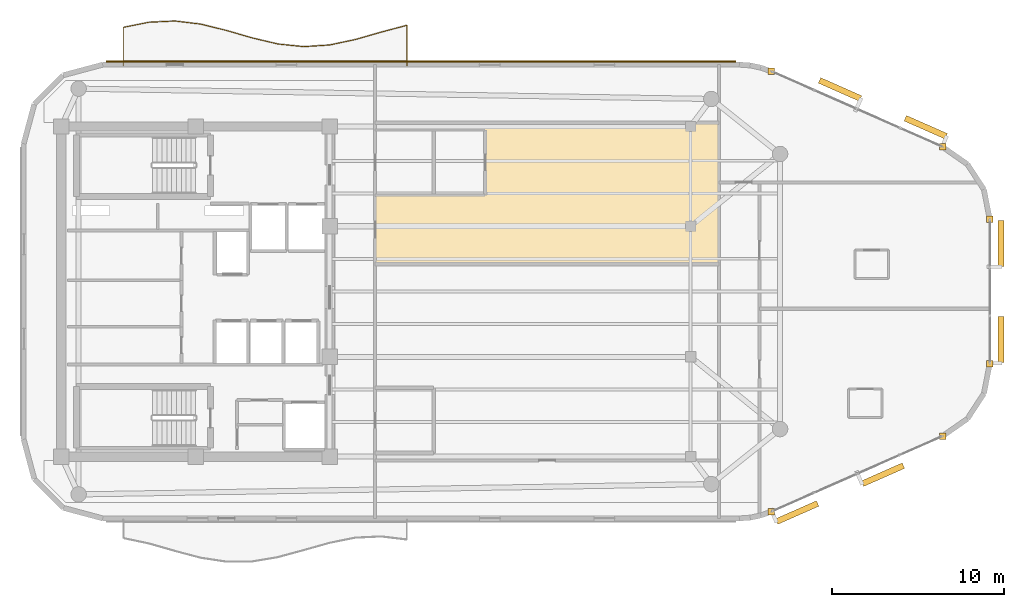
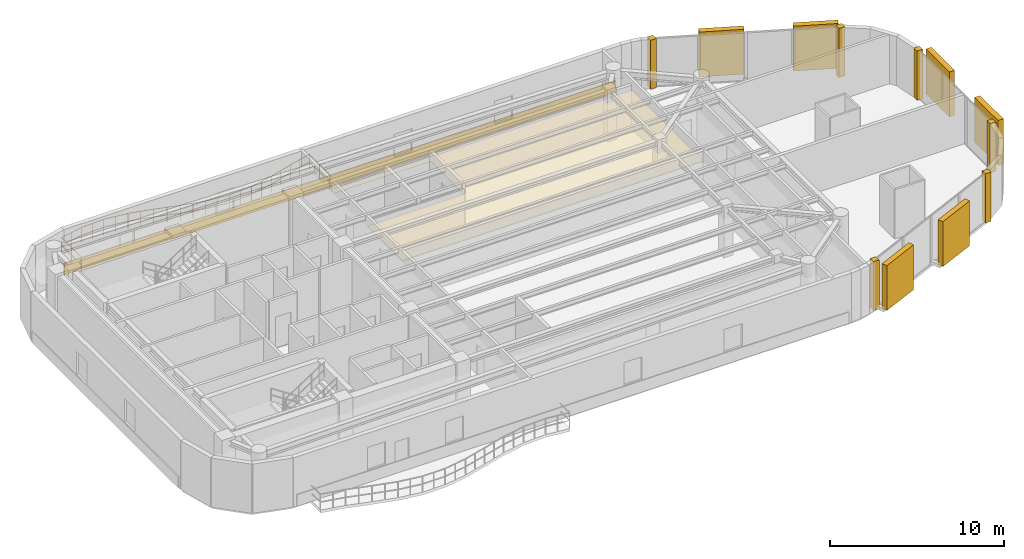
# One storey, part 12 of 12: 8 coverings, 6 shading devices, 1 railing.
"""IFC4 building model written with IfcOpenShell, lengths in metres."""

from ifc_helpers import new_model, si_unit, direction, frame, origin, origin_2d, place, context, subcontext, project, spatial, polyline, rectangle, circle, outline, extrude, material, layer, layer_set, type_object, element, save


model = new_model("IFC4")

# Units and contexts
model_context = context("Model", 3, precision=1e-05, world=origin(), true_north=direction((0.0, 1.0)))
body_context = subcontext(model_context, "Body", "Model", "MODEL_VIEW")
ifc_project = project(units=[si_unit("LENGTHUNIT", "METRE"), si_unit("AREAUNIT", "SQUARE_METRE"), si_unit("VOLUMEUNIT", "CUBIC_METRE"), si_unit("PLANEANGLEUNIT", "RADIAN"), si_unit("MASSUNIT", "GRAM", prefix="KILO")], contexts=[model_context])

# Site, building, storey
site_placement = place(None, origin())
site = spatial("IfcSite", under=ifc_project, at=site_placement, CompositionType="ELEMENT")
building_placement = place(site_placement, origin())
building = spatial("IfcBuilding", under=site, at=building_placement, Name="An Khanh Terracotta Commons", CompositionType="ELEMENT")
storey_placement = place(building_placement, frame((0.0, 0.0, 262.449951171875)))
storey = spatial("IfcBuildingStorey", under=building, at=storey_placement, Name="L68", CompositionType="ELEMENT", Elevation=262.449951171875)

# Coverings
ifc_material_1 = material(Name="Perforated Mineral-Fibre Acoustic Tile")
ifc_layer_1 = layer(ifc_material_1, 0.02001953125, Name="Perforated Mineral-Fibre Acoustic Tile")
ifc_layer_set_1 = layer_set([ifc_layer_1], Name="Perforated Mineral-Fibre Acoustic Tile")
covering_type_1 = type_object("IfcCoveringType", Name="CEIL-ACOUSTIC-18", PredefinedType="CEILING", material=ifc_layer_set_1)
covering_1_placement = place(storey_placement, frame((0.0, 0.0, 2.650146484375)))
element("IfcCovering", 1, at=covering_1_placement, inside=storey, type_object=covering_type_1, Name="L68 Academic Seminar Room Ceiling", PredefinedType="CEILING", context=body_context, shape_type="SweptSolid", body=[
    extrude(outline(polyline([(59.85009765625, 25.60009765625), (39.85009765625, 25.60009765625), (39.85009765625, 29.60009765625), (43.25, 29.60009765625), (46.25, 29.60009765625), (46.25, 33.39990234375), (43.25, 33.39990234375), (39.85009765625, 33.39990234375), (39.85009765625, 33.820068359375), (59.85009765625, 33.820068359375), (59.85009765625, 30.35009765625), (59.85009765625, 25.60009765625)])), origin(), (0.0, 0.0, 1.0), 0.02001953125),
])
ifc_material_2 = material(Name="Fired Terracotta Rainscreen Cladding", Category="masonry")
ifc_layer_2 = layer(ifc_material_2, 0.080078125, Name="Fired Terracotta Rainscreen Cladding")
ifc_layer_set_2 = layer_set([ifc_layer_2], Name="Fired Terracotta Rainscreen Cladding")
covering_type_2 = type_object("IfcCoveringType", Name="COV-JAMB-TERRA", PredefinedType="CLADDING", material=ifc_layer_set_2)
for number, where, z_axis, x_axis, name in (
    (2, (62.886962890625, 11.19091796875, 0.0), (0.0, 0.0, 1.0), (1.0, 0.0, 0.0), "L68 CW-03 Curtain-Wall Jamb Closure JA"),
    (3, (72.85693359375, 15.590087890625, 0.0), (0.0, 0.0, 1.0), (1.0, 0.0, 0.0), "L68 CW-03 Curtain-Wall Jamb Closure JB"),
    (4, (75.60009765625, 19.798095703125, 0.0), (0.0, 0.0, 1.0), (1.0, 0.0, 0.0), "L68 CW-03 Curtain-Wall Jamb Closure JA"),
    (5, (75.60009765625, 28.201904296875, 0.0), (0.0, 0.0, 1.0), (1.0, 0.0, 0.0), "L68 CW-03 Curtain-Wall Jamb Closure JB"),
    (6, (72.85693359375, 32.409912109375, 0.0), (0.0, 0.0, 1.0), (1.0, 0.0, 0.0), "L68 CW-03 Curtain-Wall Jamb Closure JA"),
    (7, (62.886962890625, 36.80908203125, 0.0), (0.0, 0.0, 1.0), (1.0, 0.0, 0.0), "L68 CW-03 Curtain-Wall Jamb Closure JB"),
):
    element("IfcCovering", number, at=place(storey_placement, frame(where, z_axis=z_axis, x_axis=x_axis)), inside=storey, type_object=covering_type_2, Name=name, PredefinedType="CLADDING", context=body_context, shape_type="SweptSolid", body=[
        extrude(rectangle(XDim=0.3798828125, YDim=0.3798828125, at=origin_2d()), origin(), (0.0, 0.0, 1.0), 3.449951171875),
    ])
ifc_layer_3 = layer(ifc_material_2, 0.06005859375, Name="Fired Terracotta Rainscreen Cladding")
ifc_layer_set_3 = layer_set([ifc_layer_3], Name="Fired Terracotta Rainscreen Cladding")
covering_type_3 = type_object("IfcCoveringType", Name="COV-SPANDREL-TERRA", PredefinedType="CLADDING", material=ifc_layer_set_3)
covering_2_placement = place(storey_placement, frame((42.514892578125, 37.3798828125, 0.02001953125), z_axis=(0.0, 0.0, 1.0), x_axis=(-1.0, 0.0, 0.0)))
element("IfcCovering", 8, at=covering_2_placement, inside=storey, type_object=covering_type_3, Name="L68 Terracotta Spandrel Cladding 20", PredefinedType="CLADDING", context=body_context, shape_type="SweptSolid", body=[
    extrude(rectangle(XDim=36.6298828125, YDim=0.06005859375, at=origin_2d()), origin(), (0.0, 0.0, 1.0), 0.800048828125),
])

# Railing
ifc_material_3 = material(Name="Brushed Stainless Steel 316", Category="steel")
railing_type = type_object("IfcRailingType", Name="RAIL-BALUSTRADE-1100", PredefinedType="BALUSTRADE", material=ifc_material_3)
railing_placement = place(storey_placement, frame((41.699951171875, 37.139892578125, 0.0)))
element("IfcRailing", 9, at=railing_placement, inside=storey, type_object=railing_type, Name="L68 N Wave Balcony Guard Balustrade", PredefinedType="BALUSTRADE", context=body_context, shape_type="SweptSolid", body=[
    extrude(circle(Radius=0.02392578125, at=origin_2d()), frame((0.0, 0.0, 1.076171875), z_axis=(0.0, 1.0, 0.0), x_axis=(-1.0, 0.0, 0.0)), (0.0, 0.0, 1.0), 2.34521484375),
    extrude(circle(Radius=0.02392578125, at=origin_2d()), frame((0.0, 0.0, 0.52587890625), z_axis=(0.0, 1.0, 0.0), x_axis=(-1.0, 0.0, 0.0)), (0.0, 0.0, 1.0), 2.34521484375),
    extrude(circle(Radius=0.02392578125, at=origin_2d()), frame((0.0, 2.34521484375, 1.076171875), z_axis=(-0.966680039045, -0.255987699142, 0.0), x_axis=(0.255987699142, -0.966680039045, 0.0)), (0.0, 0.0, 1.0), 1.5517578125),
    extrude(circle(Radius=0.02392578125, at=origin_2d()), frame((0.0, 2.34521484375, 0.52587890625), z_axis=(-0.966680039045, -0.255987699142, 0.0), x_axis=(0.255987699142, -0.966680039045, 0.0)), (0.0, 0.0, 1.0), 1.5517578125),
    extrude(circle(Radius=0.02392578125, at=origin_2d()), frame((-1.5, 1.947998046875, 1.076171875), z_axis=(-0.961293347262, -0.275526950607, 0.0), x_axis=(0.275526950607, -0.961293347262, 0.0)), (0.0, 0.0, 1.0), 1.560302734375),
    extrude(circle(Radius=0.02392578125, at=origin_2d()), frame((-1.5, 1.947998046875, 0.52587890625), z_axis=(-0.961293347262, -0.275526950607, 0.0), x_axis=(0.275526950607, -0.961293347262, 0.0)), (0.0, 0.0, 1.0), 1.560302734375),
    extrude(circle(Radius=0.02392578125, at=origin_2d()), frame((-3.0, 1.51806640625, 1.076171875), z_axis=(-0.978275241205, -0.207310280607, 0.0), x_axis=(0.207310280607, -0.978275241205, 0.0)), (0.0, 0.0, 1.0), 1.533203125),
    extrude(circle(Radius=0.02392578125, at=origin_2d()), frame((-3.0, 1.51806640625, 0.52587890625), z_axis=(-0.978275241205, -0.207310280607, 0.0), x_axis=(0.207310280607, -0.978275241205, 0.0)), (0.0, 0.0, 1.0), 1.533203125),
    extrude(circle(Radius=0.02392578125, at=origin_2d()), frame((-4.5, 1.2001953125, 1.076171875), z_axis=(-0.997866326321, -0.065290081898, 0.0), x_axis=(0.065290081898, -0.997866326321, 0.0)), (0.0, 0.0, 1.0), 1.503173828125),
    extrude(circle(Radius=0.02392578125, at=origin_2d()), frame((-4.5, 1.2001953125, 0.52587890625), z_axis=(-0.997866326321, -0.065290081898, 0.0), x_axis=(0.065290081898, -0.997866326321, 0.0)), (0.0, 0.0, 1.0), 1.503173828125),
    extrude(circle(Radius=0.02392578125, at=origin_2d()), frame((-6.0, 1.10205078125, 1.076171875), z_axis=(-0.994833141332, 0.101523499286, 0.0), x_axis=(-0.101523499286, -0.994833141332, 0.0)), (0.0, 0.0, 1.0), 1.5078125),
    extrude(circle(Radius=0.02392578125, at=origin_2d()), frame((-6.0, 1.10205078125, 0.52587890625), z_axis=(-0.994833141332, 0.101523499286, 0.0), x_axis=(-0.101523499286, -0.994833141332, 0.0)), (0.0, 0.0, 1.0), 1.5078125),
    extrude(circle(Radius=0.02392578125, at=origin_2d()), frame((-7.5, 1.255126953125, 1.076171875), z_axis=(-0.973263214687, 0.229692653206, 0.0), x_axis=(-0.229692653206, -0.973263214687, 0.0)), (0.0, 0.0, 1.0), 1.541259765625),
    extrude(circle(Radius=0.02392578125, at=origin_2d()), frame((-7.5, 1.255126953125, 0.52587890625), z_axis=(-0.973263214687, 0.229692653206, 0.0), x_axis=(-0.229692653206, -0.973263214687, 0.0)), (0.0, 0.0, 1.0), 1.541259765625),
    extrude(circle(Radius=0.02392578125, at=origin_2d()), frame((-9.0, 1.609130859375, 1.076171875), z_axis=(-0.960419102414, 0.278559056071, 0.0), x_axis=(-0.278559056071, -0.960419102414, 0.0)), (0.0, 0.0, 1.0), 1.561767578125),
    extrude(circle(Radius=0.02392578125, at=origin_2d()), frame((-9.0, 1.609130859375, 0.52587890625), z_axis=(-0.960419102414, 0.278559056071, 0.0), x_axis=(-0.278559056071, -0.960419102414, 0.0)), (0.0, 0.0, 1.0), 1.561767578125),
    extrude(circle(Radius=0.02392578125, at=origin_2d()), frame((-10.5, 2.044189453125, 1.076171875), z_axis=(-0.970918311966, 0.239411009542, 0.0), x_axis=(-0.239411009542, -0.970918311966, 0.0)), (0.0, 0.0, 1.0), 1.544921875),
    extrude(circle(Radius=0.02392578125, at=origin_2d()), frame((-10.5, 2.044189453125, 0.52587890625), z_axis=(-0.970918311966, 0.239411009542, 0.0), x_axis=(-0.239411009542, -0.970918311966, 0.0)), (0.0, 0.0, 1.0), 1.544921875),
    extrude(circle(Radius=0.02392578125, at=origin_2d()), frame((-12.0, 2.4140625, 1.076171875), z_axis=(-0.99288219023, 0.11910061429, 0.0), x_axis=(-0.11910061429, -0.99288219023, 0.0)), (0.0, 0.0, 1.0), 1.5107421875),
    extrude(circle(Radius=0.02392578125, at=origin_2d()), frame((-12.0, 2.4140625, 0.52587890625), z_axis=(-0.99288219023, 0.11910061429, 0.0), x_axis=(-0.11910061429, -0.99288219023, 0.0)), (0.0, 0.0, 1.0), 1.5107421875),
    extrude(circle(Radius=0.02392578125, at=origin_2d()), frame((-13.5, 2.593994140625, 1.076171875), z_axis=(-0.998887913276, -0.047148029761, 0.0), x_axis=(0.047148029761, -0.998887913276, 0.0)), (0.0, 0.0, 1.0), 1.501708984375),
    extrude(circle(Radius=0.02392578125, at=origin_2d()), frame((-13.5, 2.593994140625, 0.52587890625), z_axis=(-0.998887913276, -0.047148029761, 0.0), x_axis=(0.047148029761, -0.998887913276, 0.0)), (0.0, 0.0, 1.0), 1.501708984375),
    extrude(circle(Radius=0.02392578125, at=origin_2d()), frame((-15.0, 2.523193359375, 1.076171875), z_axis=(-0.980819402607, -0.194918699639, 0.0), x_axis=(0.194918699639, -0.980819402607, 0.0)), (0.0, 0.0, 1.0), 1.529296875),
    extrude(circle(Radius=0.02392578125, at=origin_2d()), frame((-15.0, 2.523193359375, 0.52587890625), z_axis=(-0.980819402607, -0.194918699639, 0.0), x_axis=(0.194918699639, -0.980819402607, 0.0)), (0.0, 0.0, 1.0), 1.529296875),
    extrude(circle(Radius=0.02392578125, at=origin_2d()), frame((-16.5, 2.22509765625, 1.076171875), z_axis=(0.0, -1.0, 0.0), x_axis=(1.0, 0.0, 0.0)), (0.0, 0.0, 1.0), 2.22509765625),
    extrude(circle(Radius=0.02392578125, at=origin_2d()), frame((-16.5, 2.22509765625, 0.52587890625), z_axis=(0.0, -1.0, 0.0), x_axis=(1.0, 0.0, 0.0)), (0.0, 0.0, 1.0), 2.22509765625),
    extrude(circle(Radius=0.02099609375, at=origin_2d()), origin(), (0.0, 0.0, 1.0), 1.052001953125),
    extrude(circle(Radius=0.02099609375, at=origin_2d()), frame((0.0, 1.172607421875, 0.0)), (0.0, 0.0, 1.0), 1.052001953125),
    extrude(circle(Radius=0.02099609375, at=origin_2d()), frame((0.0, 2.34521484375, 0.0)), (0.0, 0.0, 1.0), 1.052001953125),
    extrude(circle(Radius=0.02099609375, at=origin_2d()), frame((-0.75, 2.146484375, 0.0)), (0.0, 0.0, 1.0), 1.052001953125),
    extrude(circle(Radius=0.02099609375, at=origin_2d()), frame((-1.5, 1.947998046875, 0.0)), (0.0, 0.0, 1.0), 1.052001953125),
    extrude(circle(Radius=0.02099609375, at=origin_2d()), frame((-2.25, 1.73291015625, 0.0)), (0.0, 0.0, 1.0), 1.052001953125),
    extrude(circle(Radius=0.02099609375, at=origin_2d()), frame((-3.0, 1.51806640625, 0.0)), (0.0, 0.0, 1.0), 1.052001953125),
    extrude(circle(Radius=0.02099609375, at=origin_2d()), frame((-3.75, 1.359130859375, 0.0)), (0.0, 0.0, 1.0), 1.052001953125),
    extrude(circle(Radius=0.02099609375, at=origin_2d()), frame((-4.5, 1.2001953125, 0.0)), (0.0, 0.0, 1.0), 1.052001953125),
    extrude(circle(Radius=0.02099609375, at=origin_2d()), frame((-5.25, 1.151123046875, 0.0)), (0.0, 0.0, 1.0), 1.052001953125),
    extrude(circle(Radius=0.02099609375, at=origin_2d()), frame((-6.0, 1.10205078125, 0.0)), (0.0, 0.0, 1.0), 1.052001953125),
    extrude(circle(Radius=0.02099609375, at=origin_2d()), frame((-6.75, 1.1787109375, 0.0)), (0.0, 0.0, 1.0), 1.052001953125),
    extrude(circle(Radius=0.02099609375, at=origin_2d()), frame((-7.5, 1.255126953125, 0.0)), (0.0, 0.0, 1.0), 1.052001953125),
    extrude(circle(Radius=0.02099609375, at=origin_2d()), frame((-8.25, 1.43212890625, 0.0)), (0.0, 0.0, 1.0), 1.052001953125),
    extrude(circle(Radius=0.02099609375, at=origin_2d()), frame((-9.0, 1.609130859375, 0.0)), (0.0, 0.0, 1.0), 1.052001953125),
    extrude(circle(Radius=0.02099609375, at=origin_2d()), frame((-9.75, 1.82666015625, 0.0)), (0.0, 0.0, 1.0), 1.052001953125),
    extrude(circle(Radius=0.02099609375, at=origin_2d()), frame((-10.5, 2.044189453125, 0.0)), (0.0, 0.0, 1.0), 1.052001953125),
    extrude(circle(Radius=0.02099609375, at=origin_2d()), frame((-11.25, 2.22900390625, 0.0)), (0.0, 0.0, 1.0), 1.052001953125),
    extrude(circle(Radius=0.02099609375, at=origin_2d()), frame((-12.0, 2.4140625, 0.0)), (0.0, 0.0, 1.0), 1.052001953125),
    extrude(circle(Radius=0.02099609375, at=origin_2d()), frame((-12.75, 2.50390625, 0.0)), (0.0, 0.0, 1.0), 1.052001953125),
    extrude(circle(Radius=0.02099609375, at=origin_2d()), frame((-13.5, 2.593994140625, 0.0)), (0.0, 0.0, 1.0), 1.052001953125),
    extrude(circle(Radius=0.02099609375, at=origin_2d()), frame((-14.25, 2.55859375, 0.0)), (0.0, 0.0, 1.0), 1.052001953125),
    extrude(circle(Radius=0.02099609375, at=origin_2d()), frame((-15.0, 2.523193359375, 0.0)), (0.0, 0.0, 1.0), 1.052001953125),
    extrude(circle(Radius=0.02099609375, at=origin_2d()), frame((-15.75, 2.3740234375, 0.0)), (0.0, 0.0, 1.0), 1.052001953125),
    extrude(circle(Radius=0.02099609375, at=origin_2d()), frame((-16.5, 2.22509765625, 0.0)), (0.0, 0.0, 1.0), 1.052001953125),
    extrude(circle(Radius=0.02099609375, at=origin_2d()), frame((-16.5, 1.112548828125, 0.0)), (0.0, 0.0, 1.0), 1.052001953125),
    extrude(circle(Radius=0.02099609375, at=origin_2d()), frame((-16.5, 0.0, 0.0)), (0.0, 0.0, 1.0), 1.052001953125),
])

# Shading devices
ifc_material_4 = material(Name="Extruded Fired Terracotta", Category="masonry")
shading_device_type = type_object("IfcShadingDeviceType", Name="Terracotta Baguette Screen Assembly", PredefinedType="USERDEFINED", material=ifc_material_4)
for number, where, z_axis, x_axis, name in (
    (10, (64.39599609375, 11.14599609375, 0.150146484375), (0.0, 0.0, 1.0), (0.914901853201, 0.403676354285, 0.0), "L68 Terracotta Baguette Screen 1"),
    (11, (69.381103515625, 13.345947265625, 0.150146484375), (0.0, 0.0, 1.0), (0.914901853201, 0.403676354285, 0.0), "L68 Terracotta Baguette Screen 3"),
):
    element("IfcShadingDevice", number, at=place(storey_placement, frame(where, z_axis=z_axis, x_axis=x_axis)), inside=storey, type_object=shading_device_type, Name=name, ObjectType="BAGUETTE", PredefinedType="USERDEFINED", context=body_context, shape_type="SweptSolid", body=[
        extrude(rectangle(XDim=2.60400390625, YDim=0.35009765625, at=origin_2d()), origin(), (0.0, 0.0, 1.0), 3.14990234375),
    ])
for number, where, z_axis, x_axis, name in (
    (12, (76.25, 21.198974609375, 0.150146484375), (0.0, 0.0, 1.0), (0.0, 1.0, 0.0), "L68 Terracotta Baguette Screen 1"),
    (13, (76.25, 26.801025390625, 0.150146484375), (0.0, 0.0, 1.0), (0.0, 1.0, 0.0), "L68 Terracotta Baguette Screen 3"),
):
    element("IfcShadingDevice", number, at=place(storey_placement, frame(where, z_axis=z_axis, x_axis=x_axis)), inside=storey, type_object=shading_device_type, Name=name, ObjectType="BAGUETTE", PredefinedType="USERDEFINED", context=body_context, shape_type="SweptSolid", body=[
        extrude(rectangle(XDim=2.680908203125, YDim=0.35009765625, at=origin_2d()), origin(), (0.0, 0.0, 1.0), 3.14990234375),
    ])
for number, where, z_axis, x_axis, name in (
    (14, (71.873046875, 33.554931640625, 0.150146484375), (0.0, 0.0, 1.0), (-0.914901853201, 0.403676354285, 0.0), "L68 Terracotta Baguette Screen 1"),
    (15, (66.887939453125, 35.75390625, 0.150146484375), (0.0, 0.0, 1.0), (-0.914901853201, 0.403676354285, 0.0), "L68 Terracotta Baguette Screen 3"),
):
    element("IfcShadingDevice", number, at=place(storey_placement, frame(where, z_axis=z_axis, x_axis=x_axis)), inside=storey, type_object=shading_device_type, Name=name, ObjectType="BAGUETTE", PredefinedType="USERDEFINED", context=body_context, shape_type="SweptSolid", body=[
        extrude(rectangle(XDim=2.60400390625, YDim=0.35009765625, at=origin_2d()), origin(), (0.0, 0.0, 1.0), 3.14990234375),
    ])

save(model, "model.ifc")
